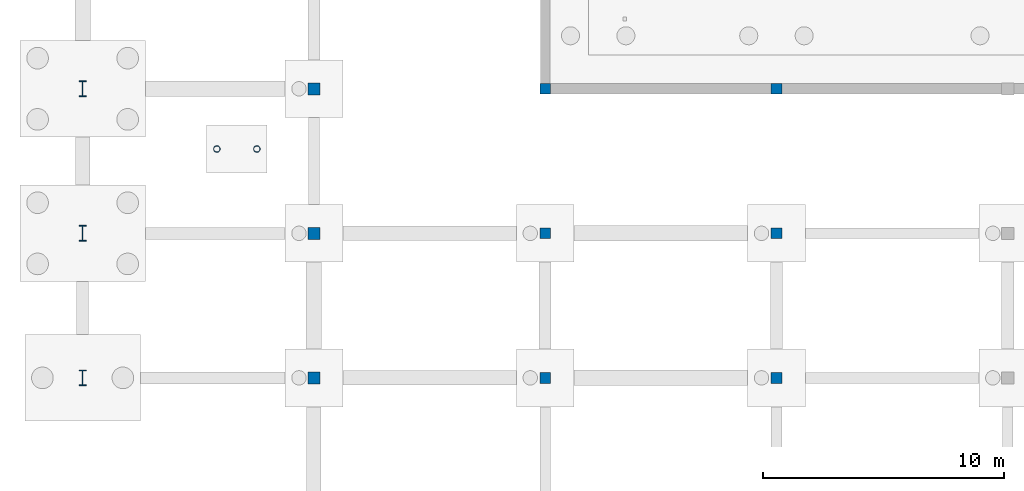
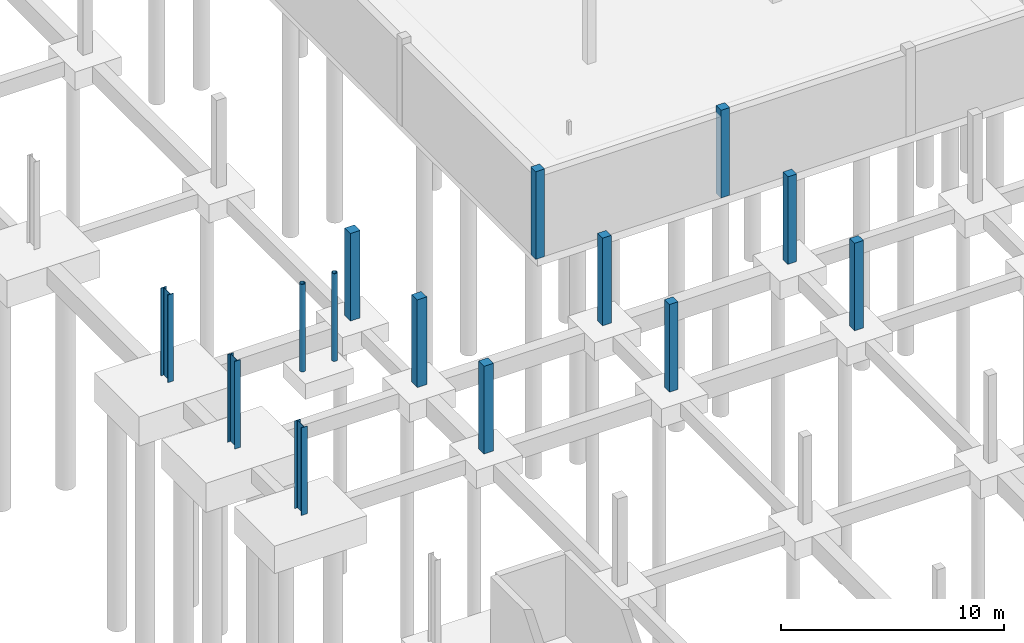
# One storey, part 9 of 31: 14 columns.
"""IFC4 building model written with IfcOpenShell, lengths in metres."""

from ifc_helpers import new_model, si_unit, direction, frame, origin, origin_2d, place, context, subcontext, project, spatial, rectangle, hollow_circle, i_section, extrude, material, material_profile, profile_set, type_object, element, save


model = new_model("IFC4")

# Units and contexts
model_context = context("Model", 3, precision=1e-05, world=origin(), true_north=direction((0.0, 1.0)))
body_context = subcontext(model_context, "Body", "Model", "MODEL_VIEW")
ifc_project = project(units=[si_unit("LENGTHUNIT", "METRE"), si_unit("AREAUNIT", "SQUARE_METRE"), si_unit("VOLUMEUNIT", "CUBIC_METRE"), si_unit("PLANEANGLEUNIT", "RADIAN"), si_unit("MASSUNIT", "GRAM", prefix="KILO")], contexts=[model_context])

# Site, building, storey
site_placement = place(None, origin())
site = spatial("IfcSite", under=ifc_project, at=site_placement, CompositionType="ELEMENT")
building_placement = place(site_placement, origin())
building = spatial("IfcBuilding", under=site, at=building_placement, Name="Merenkruunu Market Hall", CompositionType="ELEMENT")
storey_placement = place(building_placement, frame((0.0, 0.0, -4.800048828125)))
storey = spatial("IfcBuildingStorey", under=building, at=storey_placement, Name="B1", CompositionType="ELEMENT", Elevation=-4.800048828125)

# Columns
ifc_material_1 = material(Name="Steel S355ML", Category="steel")
ifc_material_profile_1 = material_profile(ifc_material_1, i_section(OverallWidth=0.300048828125, OverallDepth=0.64990234375, WebThickness=0.01611328125, FlangeThickness=0.031005859375, FilletRadius=0.027099609375, at=origin_2d()), Name="HEB 650")
ifc_profile_set_1 = profile_set([ifc_material_profile_1], Name="Steel S355ML")
column_type_1 = type_object("IfcColumnType", Name="Structural Column C01", PredefinedType="COLUMN", material=ifc_profile_set_1)
for number, where, z_axis, x_axis, name in (
    (1, (0.0, 39.60009765625, 0.0), (0.0, 0.0, 1.0), (1.0, 0.0, 0.0), "COL-B1-A-05"),
    (2, (0.0, 45.60009765625, 0.0), (0.0, 0.0, 1.0), (1.0, 0.0, 0.0), "COL-B1-A-06"),
    (3, (0.0, 51.60009765625, 0.0), (0.0, 0.0, 1.0), (1.0, 0.0, 0.0), "COL-B1-A-07"),
):
    element("IfcColumn", number, at=place(storey_placement, frame(where, z_axis=z_axis, x_axis=x_axis)), inside=storey, type_object=column_type_1, Name=name, PredefinedType="COLUMN", context=body_context, shape_type="SweptSolid", body=[
        extrude(i_section(OverallWidth=0.300048828125, OverallDepth=0.64990234375, WebThickness=0.01611328125, FlangeThickness=0.031005859375, FilletRadius=0.027099609375, at=origin_2d()), origin(), (0.0, 0.0, 1.0), 4.800048828125),
    ])
ifc_material_profile_2 = material_profile(ifc_material_1, hollow_circle(Radius=0.136474609375, WallThickness=0.012451171875, at=origin_2d()), Name="CHS 273x12.5")
ifc_profile_set_2 = profile_set([ifc_material_profile_2], Name="Steel S355ML")
column_type_2 = type_object("IfcColumnType", Name="Structural Column C14", PredefinedType="COLUMN", material=ifc_profile_set_2)
for number, where, z_axis, x_axis, name in (
    (4, (5.570068359375, 49.10009765625, 0.0), (0.0, 0.0, 1.0), (1.0, 0.0, 0.0), "COL-FST-2-1-B1"),
    (5, (7.22998046875, 49.10009765625, 0.0), (0.0, 0.0, 1.0), (1.0, 0.0, 0.0), "COL-FST-2-2-B1"),
):
    element("IfcColumn", number, at=place(storey_placement, frame(where, z_axis=z_axis, x_axis=x_axis)), inside=storey, type_object=column_type_2, Name=name, PredefinedType="COLUMN", context=body_context, shape_type="SweptSolid", body=[
        extrude(hollow_circle(Radius=0.136474609375, WallThickness=0.012451171875, at=origin_2d()), origin(), (0.0, 0.0, 1.0), 4.800048828125),
    ])
ifc_material_2 = material(Name="Concrete C35/45", Category="concrete")
ifc_material_profile_3 = material_profile(ifc_material_2, rectangle(XDim=0.5, YDim=0.5, at=origin_2d()), Name="RC 500x500")
ifc_profile_set_3 = profile_set([ifc_material_profile_3], Name="Concrete C35/45")
column_type_3 = type_object("IfcColumnType", Name="Structural Column C18", PredefinedType="COLUMN", material=ifc_profile_set_3)
for number, where, z_axis, x_axis, name in (
    (6, (9.60009765625, 39.60009765625, 0.0), (0.0, 0.0, 1.0), (1.0, 0.0, 0.0), "COL-B1-B-05"),
    (7, (9.60009765625, 45.60009765625, 0.0), (0.0, 0.0, 1.0), (1.0, 0.0, 0.0), "COL-B1-B-06"),
    (8, (9.60009765625, 51.60009765625, 0.0), (0.0, 0.0, 1.0), (1.0, 0.0, 0.0), "COL-B1-B-07"),
):
    element("IfcColumn", number, at=place(storey_placement, frame(where, z_axis=z_axis, x_axis=x_axis)), inside=storey, type_object=column_type_3, Name=name, PredefinedType="COLUMN", context=body_context, shape_type="SweptSolid", body=[
        extrude(rectangle(XDim=0.5, YDim=0.5, at=origin_2d()), origin(), (0.0, 0.0, 1.0), 4.800048828125),
    ])
ifc_material_profile_4 = material_profile(ifc_material_2, rectangle(XDim=0.449951171875, YDim=0.449951171875, at=origin_2d()), Name="RC 450x450")
ifc_profile_set_4 = profile_set([ifc_material_profile_4], Name="Concrete C35/45")
column_type_4 = type_object("IfcColumnType", Name="Structural Column C19", PredefinedType="COLUMN", material=ifc_profile_set_4)
for number, where, z_axis, x_axis, name in (
    (9, (19.199951171875, 39.60009765625, 0.0), (0.0, 0.0, 1.0), (1.0, 0.0, 0.0), "COL-B1-C-05"),
    (10, (19.199951171875, 45.60009765625, 0.0), (0.0, 0.0, 1.0), (1.0, 0.0, 0.0), "COL-B1-C-06"),
    (11, (19.199951171875, 51.60009765625, 0.0), (0.0, 0.0, 1.0), (1.0, 0.0, 0.0), "COL-B1-C-07"),
    (12, (28.800048828125, 39.60009765625, 0.0), (0.0, 0.0, 1.0), (1.0, 0.0, 0.0), "COL-B1-D-05"),
    (13, (28.800048828125, 45.60009765625, 0.0), (0.0, 0.0, 1.0), (1.0, 0.0, 0.0), "COL-B1-D-06"),
    (14, (28.800048828125, 51.60009765625, 0.0), (0.0, 0.0, 1.0), (1.0, 0.0, 0.0), "COL-B1-D-07"),
):
    element("IfcColumn", number, at=place(storey_placement, frame(where, z_axis=z_axis, x_axis=x_axis)), inside=storey, type_object=column_type_4, Name=name, PredefinedType="COLUMN", context=body_context, shape_type="SweptSolid", body=[
        extrude(rectangle(XDim=0.449951171875, YDim=0.449951171875, at=origin_2d()), origin(), (0.0, 0.0, 1.0), 4.800048828125),
    ])

save(model, "model.ifc")
